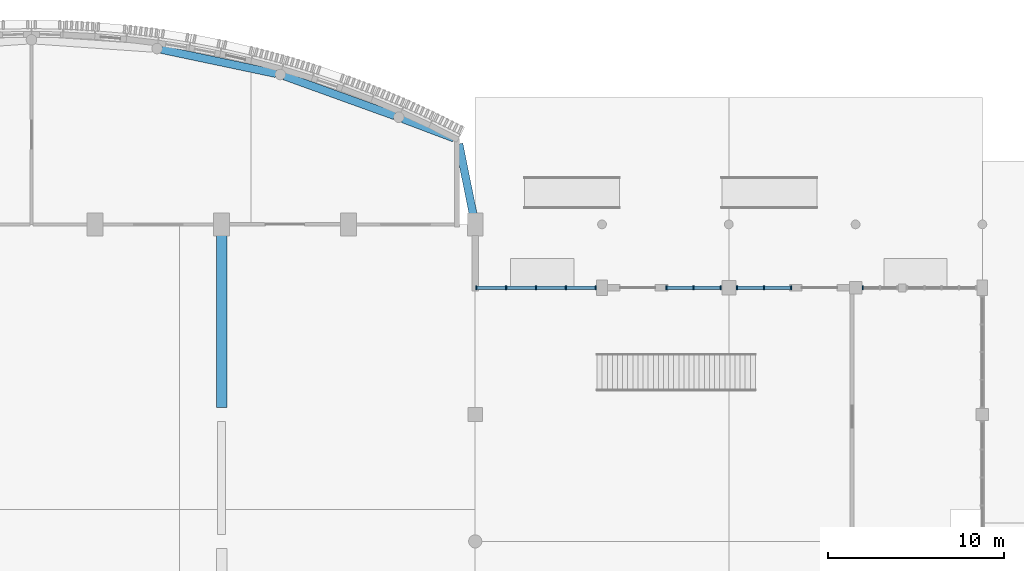
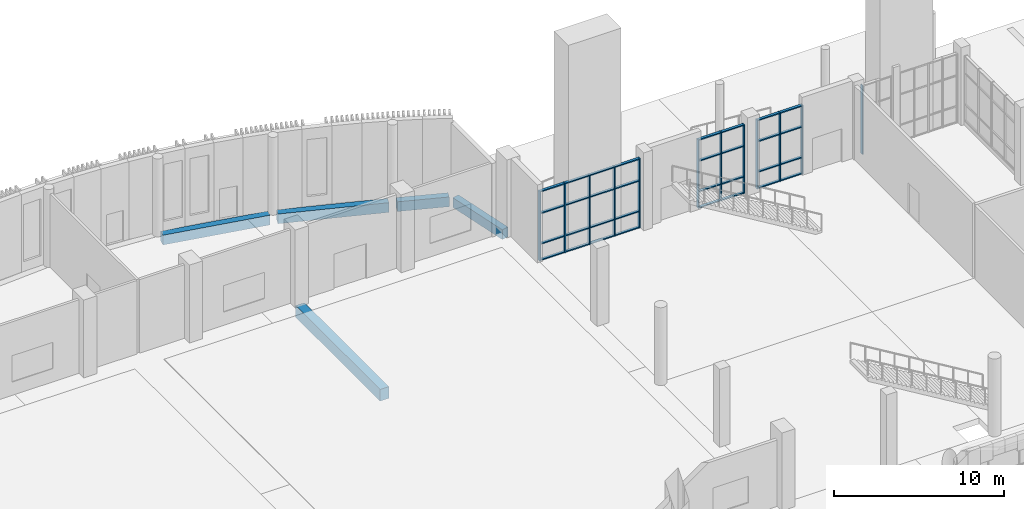
# One storey, part 26 of 85: 44 members, 5 beams, 4 elements without a shape of their own.
"""IFC4 building model written with IfcOpenShell, lengths in metres."""

import ifcopenshell
import ifcopenshell.guid

model = None  # the IFC model being written
_history = None  # IfcOwnerHistory: only IFC2X3 demands one
_inside = {}  # id of a spatial element -> (the spatial element, [elements in it])
_under = {}  # id of a project, library or spatial element -> (it, [spatial elements below it])
_declared = {}  # id of a project -> (the project, [libraries it declares])
_typed = {}  # id of a type object -> (the type object, [elements of that type])
_made_of = {}  # id of a material, layer set ... -> (it, [elements and type objects made of it])


def new_model(schema):
    """Start an empty IFC model of exactly this schema.

    Asked for "IFC4X3", IfcOpenShell would pick the latest addendum, in which some entities
    have other attributes; the version numbers below select the first issue.
    IFC2X3 requires an IfcOwnerHistory on every rooted entity: one is made here for all.
    """
    global model, _history
    if schema == "IFC4X3":
        model = ifcopenshell.file(schema_version=(4, 3, 0, 0))
    else:
        model = ifcopenshell.file(schema=schema)
    _inside.clear()
    _under.clear()
    _declared.clear()
    _typed.clear()
    _made_of.clear()
    _history = None
    if model.schema == "IFC2X3":
        org = make("IfcOrganization", Name="unknown")
        user = make(
            "IfcPersonAndOrganization",
            ThePerson=make("IfcPerson", FamilyName="unknown"),
            TheOrganization=org,
        )
        app = make(
            "IfcApplication",
            ApplicationDeveloper=org,
            Version="unknown",
            ApplicationFullName="unknown",
            ApplicationIdentifier="unknown",
        )
        _history = make(
            "IfcOwnerHistory",
            OwningUser=user,
            OwningApplication=app,
            ChangeAction="ADDED",
            CreationDate=0,
        )
    return model


def make(cls, **values):
    """One entity of the class cls with the attributes given. An attribute that is None is left unset."""
    return model.create_entity(
        cls, **{name: value for name, value in values.items() if value is not None}
    )


def rooted(cls, **values):
    """An entity with a GlobalId (a new one), such as an element, a storey or a relation."""
    return make(cls, GlobalId=ifcopenshell.guid.new(), OwnerHistory=_history, **values)


def si_unit(unit_type, name, prefix=None):
    """IfcSIUnit, for example si_unit("LENGTHUNIT", "METRE", prefix="MILLI")."""
    return make("IfcSIUnit", UnitType=unit_type, Prefix=prefix, Name=name)


def assignment(units):
    """IfcUnitAssignment: the units of a project."""
    return None if units is None else make("IfcUnitAssignment", Units=units)


def point(xyz):
    """IfcCartesianPoint."""
    return None if xyz is None else make("IfcCartesianPoint", Coordinates=xyz)


def direction(xyz):
    """IfcDirection."""
    return None if xyz is None else make("IfcDirection", DirectionRatios=xyz)


def frame(location, z_axis=None, x_axis=None):
    """IfcAxis2Placement3D, a coordinate frame: its origin and axes. An axis left out is left unset."""
    return make(
        "IfcAxis2Placement3D",
        Location=point(location),
        Axis=direction(z_axis),
        RefDirection=direction(x_axis),
    )


def frame_2d(location, x_axis=None):
    """IfcAxis2Placement2D, a coordinate frame in the plane: its origin and x axis."""
    return make(
        "IfcAxis2Placement2D", Location=point(location), RefDirection=direction(x_axis)
    )


def origin():
    """The frame at (0, 0, 0) with its axes left unset."""
    return frame((0.0, 0.0, 0.0))


def origin_2d():
    """The frame at (0, 0) in the plane with its x axis left unset."""
    return frame_2d((0.0, 0.0))


def place(relative_to, where):
    """IfcLocalPlacement: puts the frame where relative to a parent placement (None: the world)."""
    return make(
        "IfcLocalPlacement", PlacementRelTo=relative_to, RelativePlacement=where
    )


def context(
    kind, dimensions, precision=None, world=None, true_north=None, identifier=None
):
    """IfcGeometricRepresentationContext, for example the 3D "Model" context."""
    return make(
        "IfcGeometricRepresentationContext",
        ContextIdentifier=identifier,
        ContextType=kind,
        CoordinateSpaceDimension=dimensions,
        Precision=precision,
        WorldCoordinateSystem=world,
        TrueNorth=true_north,
    )


def subcontext(parent, identifier, kind, view, scale=None):
    """IfcGeometricRepresentationSubContext, for example "Body" below "Model"."""
    return make(
        "IfcGeometricRepresentationSubContext",
        ContextIdentifier=identifier,
        ContextType=kind,
        ParentContext=parent,
        TargetScale=scale,
        TargetView=view,
    )


def project(units=None, contexts=None):
    """IfcProject with its units and contexts."""
    return rooted(
        "IfcProject",
        Name="project",
        RepresentationContexts=contexts,
        UnitsInContext=assignment(units),
    )


def spatial(cls, under=None, at=None, **own):
    """A site, building, storey or space (cls), placed at a placement, below another one or the project."""
    s = rooted(cls, ObjectPlacement=at, **own)
    if under is not None:
        _under.setdefault(under.id(), (under, []))[1].append(s)
    return s


def profile(cls, at=None, kind="AREA", **sizes):
    """A parametric profile (cls). Its sizes go by their IFC names, for example OverallWidth=200.0."""
    return make(cls, ProfileType=kind, Position=at, **sizes)


def rectangle(**sizes):
    """IfcRectangleProfileDef."""
    return profile("IfcRectangleProfileDef", **sizes)


def extrude(swept, where, along, depth):
    """IfcExtrudedAreaSolid: the profile swept, set in the frame where, extruded along a direction by depth."""
    return make(
        "IfcExtrudedAreaSolid",
        SweptArea=swept,
        Position=where,
        ExtrudedDirection=direction(along),
        Depth=depth,
    )


def shape(context_of_items, identifier, shape_type, items):
    """IfcShapeRepresentation: the items that make up one representation, for example the "Body"."""
    return make(
        "IfcShapeRepresentation",
        ContextOfItems=context_of_items,
        RepresentationIdentifier=identifier,
        RepresentationType=shape_type,
        Items=items,
    )


def material(Name=None, Category=None):
    """IfcMaterial."""
    return make("IfcMaterial", Name=Name, Category=Category)


def material_profile(
    of_material, cross_section, Name=None, Category=None, Priority=None
):
    """IfcMaterialProfile: a cross section and its material."""
    return make(
        "IfcMaterialProfile",
        Name=Name,
        Material=of_material,
        Profile=cross_section,
        Priority=Priority,
        Category=Category,
    )


def profile_set(profiles, Name=None, composite=None):
    """IfcMaterialProfileSet."""
    return make(
        "IfcMaterialProfileSet",
        Name=Name,
        MaterialProfiles=profiles,
        CompositeProfile=composite,
    )


def made_of(thing, what):
    """Note that an element or type object is made of a material, layer set ...; save() writes the relation."""
    if what is not None:
        _made_of.setdefault(what.id(), (what, []))[1].append(thing)
    return thing


def type_object(cls, material=None, **own):
    """A type object (cls), such as IfcWallType, which elements share."""
    return made_of(rooted(cls, **own), material)


def element(
    cls,
    number,
    at=None,
    inside=None,
    cuts=None,
    type_object=None,
    material=None,
    context=None,
    identifier="Body",
    shape_type=None,
    held_by="IfcProductDefinitionShape",
    body=None,
    shapes=None,
    **own,
):
    """One element of the class cls, such as IfcWall. Its Tag is "e" and its number.

    at: its placement. inside: the storey or other place that contains it. cuts: it is an
    opening in that element (IfcRelVoidsElement). A single representation is given by context,
    identifier, shape_type and body (its items); several are given by shapes. held_by: the class
    of the entity that holds the representations. save() writes the other relations.
    """
    e = rooted(cls, Tag="e%d" % number, ObjectPlacement=at, **own)
    if body is not None:
        shapes = [shape(context, identifier, shape_type, body)]
    if shapes is not None:
        e.Representation = make(held_by, Representations=shapes)
    if inside is not None:
        _inside.setdefault(inside.id(), (inside, []))[1].append(e)
    if cuts is not None:
        rooted(
            "IfcRelVoidsElement", RelatingBuildingElement=cuts, RelatedOpeningElement=e
        )
    if type_object is not None:
        _typed.setdefault(type_object.id(), (type_object, []))[1].append(e)
    return made_of(e, material)


def aggregate(whole, parts):
    """IfcRelAggregates: a whole, such as a stair, and the parts it consists of."""
    return rooted("IfcRelAggregates", RelatingObject=whole, RelatedObjects=parts)


def save(model, path):
    """Write the relations noted so far, then the file.

    IfcRelAggregates (storeys below a building ...), IfcRelContainedInSpatialStructure (elements
    in a storey), IfcRelDefinesByType, IfcRelAssociatesMaterial and IfcRelDeclares: one each for
    every whole, place, type object, material and project.
    """
    for whole, parts in _under.values():
        aggregate(whole, parts)
    for where, things in _inside.values():
        rooted(
            "IfcRelContainedInSpatialStructure",
            RelatedElements=things,
            RelatingStructure=where,
        )
    for kind, things in _typed.values():
        rooted("IfcRelDefinesByType", RelatedObjects=things, RelatingType=kind)
    for what, things in _made_of.values():
        rooted("IfcRelAssociatesMaterial", RelatedObjects=things, RelatingMaterial=what)
    for by, libraries in _declared.values():
        rooted("IfcRelDeclares", RelatingContext=by, RelatedDefinitions=libraries)
    model.write(path)


model = new_model("IFC4")

# Units and contexts
model_context = context("Model", 3, precision=1e-05, world=origin(), true_north=direction((0.0, 1.0)))
body_context = subcontext(model_context, "Body", "Model", "MODEL_VIEW")
ifc_project = project(units=[si_unit("LENGTHUNIT", "METRE"), si_unit("AREAUNIT", "SQUARE_METRE"), si_unit("VOLUMEUNIT", "CUBIC_METRE"), si_unit("PLANEANGLEUNIT", "RADIAN"), si_unit("MASSUNIT", "GRAM", prefix="KILO")], contexts=[model_context])

# Site, building, storey
site_placement = place(None, origin())
site = spatial("IfcSite", under=ifc_project, at=site_placement, CompositionType="ELEMENT")
building_placement = place(site_placement, origin())
building = spatial("IfcBuilding", under=site, at=building_placement, Name="Sardonyx Promenade Sports Hall", CompositionType="ELEMENT")
storey_placement = place(building_placement, origin())
storey = spatial("IfcBuildingStorey", under=building, at=storey_placement, Name="L00", CompositionType="ELEMENT", Elevation=0.0)

# Beams
ifc_material_1 = material(Name="Concrete C50/60", Category="concrete")
ifc_material_profile_1 = material_profile(ifc_material_1, rectangle(XDim=0.60009765625, YDim=0.85009765625, at=origin_2d()))
ifc_profile_set_1 = profile_set([ifc_material_profile_1], Name="Concrete C50/60")
beam_type_1 = type_object("IfcBeamType", Name="Bm_Girder_RC850", PredefinedType="BEAM", material=ifc_profile_set_1)
beam_1_placement = place(storey_placement, frame((64.800048828125, 94.0, -0.425048828125), z_axis=(0.0, 1.0, 0.0), x_axis=(-1.0, 0.0, 0.0)))
element("IfcBeam", 1, at=beam_1_placement, inside=storey, type_object=beam_type_1, Name="Beam BG06 L00 #147", PredefinedType="BEAM", context=body_context, shape_type="SweptSolid", body=[
    extrude(rectangle(XDim=0.60009765625, YDim=0.85009765625, at=origin_2d()), origin(), (0.0, 0.0, 1.0), 9.949951171875),
])
ifc_material_2 = material(Name="Concrete C40/50", Category="concrete")
ifc_material_profile_2 = material_profile(ifc_material_2, rectangle(XDim=0.449951171875, YDim=0.699951171875, at=origin_2d()))
ifc_profile_set_2 = profile_set([ifc_material_profile_2], Name="Concrete C40/50")
beam_type_2 = type_object("IfcBeamType", Name="Bm_Spandrel_RC700", PredefinedType="SPANDREL", material=ifc_profile_set_2)
beam_2_placement = place(storey_placement, frame((61.3779296875, 114.333740234375, -0.35009765625), z_axis=(0.978508087194, -0.206208446228, 0.0), x_axis=(0.206208446228, 0.978508087194, 0.0)))
element("IfcBeam", 2, at=beam_2_placement, inside=storey, type_object=beam_type_2, Name="Bowed promenade grade beam #7", PredefinedType="SPANDREL", context=body_context, shape_type="SweptSolid", body=[
    extrude(rectangle(XDim=0.449951171875, YDim=0.699951171875, at=origin_2d()), origin(), (0.0, 0.0, 1.0), 6.650146484375),
])
beam_3_placement = place(storey_placement, frame((68.364990234375, 112.826171875, -0.35009765625), z_axis=(0.940672418864, -0.33931607741, 0.0), x_axis=(0.33931607741, 0.940672418864, 0.0)))
element("IfcBeam", 3, at=beam_3_placement, inside=storey, type_object=beam_type_2, Name="Bowed promenade grade beam #8", PredefinedType="SPANDREL", context=body_context, shape_type="SweptSolid", body=[
    extrude(rectangle(XDim=0.449951171875, YDim=0.699951171875, at=origin_2d()), origin(), (0.0, 0.0, 1.0), 6.650390625),
])
beam_4_placement = place(storey_placement, frame((75.08984375, 110.396484375, -0.35009765625), z_axis=(0.935482498413, -0.353373025517, 0.0), x_axis=(0.353373025517, 0.935482498413, 0.0)))
element("IfcBeam", 4, at=beam_4_placement, inside=storey, type_object=beam_type_2, Name="Bowed promenade grade beam #9", PredefinedType="SPANDREL", context=body_context, shape_type="SweptSolid", body=[
    extrude(rectangle(XDim=0.449951171875, YDim=0.699951171875, at=origin_2d()), origin(), (0.0, 0.0, 1.0), 3.102783203125),
])
beam_5_placement = place(storey_placement, frame((78.27587890625, 108.966796875, -0.35009765625), z_axis=(0.198330379521, -0.98013522565, 0.0), x_axis=(0.98013522565, 0.198330379521, 0.0)))
element("IfcBeam", 5, at=beam_5_placement, inside=storey, type_object=beam_type_2, Name="Bowed promenade grade beam #10", PredefinedType="SPANDREL", context=body_context, shape_type="SweptSolid", body=[
    extrude(rectangle(XDim=0.449951171875, YDim=0.699951171875, at=origin_2d()), origin(), (0.0, 0.0, 1.0), 4.409423828125),
])

# Curtain wall, members
ifc_material_3 = material(Name="Aluminium 6063-T6", Category="aluminium")
curtain_wall_type_1 = type_object("IfcCurtainWallType", Name="CW_Foyer_L00_Tall", PredefinedType="USERDEFINED", material=ifc_material_3)
curtain_wall_1_placement = place(storey_placement, origin())
curtain_wall_1 = element("IfcCurtainWall", 6, at=curtain_wall_1_placement, inside=storey, type_object=curtain_wall_type_1, Name="Curtain wall CW13 cw:L00:084", ObjectType="CURTAIN WALL", PredefinedType="USERDEFINED")
ifc_material_4 = material(Name="Aluminium 6063-T6", Category="aluminium")
ifc_material_profile_3 = material_profile(ifc_material_4, rectangle(XDim=0.074951171875, YDim=0.22509765625, at=origin_2d()))
ifc_profile_set_3 = profile_set([ifc_material_profile_3], Name="Aluminium 6063-T6")
member_type_1 = type_object("IfcMemberType", Name="CW_Mull_225", PredefinedType="MULLION", material=ifc_profile_set_3)
member_1_placement = place(storey_placement, frame((79.257568359375, 100.800048828125, 0.0), z_axis=(0.0, 0.0, 1.0), x_axis=(1.0, 0.0, 0.0)))
member_1 = element("IfcMember", 7, at=member_1_placement, type_object=member_type_1, Name="Mullion CM04 cw:L00:084 #1", PredefinedType="MULLION", context=body_context, shape_type="SweptSolid", body=[
    extrude(rectangle(XDim=0.074951171875, YDim=0.22509765625, at=origin_2d()), origin(), (0.0, 0.0, 1.0), 5.0),
])
member_2_placement = place(storey_placement, frame((80.953857421875, 100.800048828125, 0.0), z_axis=(0.0, 0.0, 1.0), x_axis=(1.0, 0.0, 0.0)))
member_2 = element("IfcMember", 8, at=member_2_placement, type_object=member_type_1, Name="Mullion CM04 cw:L00:084 #2", PredefinedType="MULLION", context=body_context, shape_type="SweptSolid", body=[
    extrude(rectangle(XDim=0.074951171875, YDim=0.22509765625, at=origin_2d()), origin(), (0.0, 0.0, 1.0), 5.0),
])
member_3_placement = place(storey_placement, frame((82.64990234375, 100.800048828125, 0.0), z_axis=(0.0, 0.0, 1.0), x_axis=(1.0, 0.0, 0.0)))
member_3 = element("IfcMember", 9, at=member_3_placement, type_object=member_type_1, Name="Mullion CM04 cw:L00:084 #3", PredefinedType="MULLION", context=body_context, shape_type="SweptSolid", body=[
    extrude(rectangle(XDim=0.074951171875, YDim=0.22509765625, at=origin_2d()), origin(), (0.0, 0.0, 1.0), 5.0),
])
member_4_placement = place(storey_placement, frame((84.34619140625, 100.800048828125, 0.0), z_axis=(0.0, 0.0, 1.0), x_axis=(1.0, 0.0, 0.0)))
member_4 = element("IfcMember", 10, at=member_4_placement, type_object=member_type_1, Name="Mullion CM04 cw:L00:084 #4", PredefinedType="MULLION", context=body_context, shape_type="SweptSolid", body=[
    extrude(rectangle(XDim=0.074951171875, YDim=0.22509765625, at=origin_2d()), origin(), (0.0, 0.0, 1.0), 5.0),
])
member_5_placement = place(storey_placement, frame((86.04248046875, 100.800048828125, 0.0), z_axis=(0.0, 0.0, 1.0), x_axis=(1.0, 0.0, 0.0)))
member_5 = element("IfcMember", 11, at=member_5_placement, type_object=member_type_1, Name="Mullion CM04 cw:L00:084 #5", PredefinedType="MULLION", context=body_context, shape_type="SweptSolid", body=[
    extrude(rectangle(XDim=0.074951171875, YDim=0.22509765625, at=origin_2d()), origin(), (0.0, 0.0, 1.0), 5.0),
])

ifc_material_5 = material(Name="Aluminium 6063-T6", Category="aluminium")
curtain_wall_type_2 = type_object("IfcCurtainWallType", Name="CW_Foyer_Pilaster_L00", PredefinedType="USERDEFINED", material=ifc_material_5)
curtain_wall_2_placement = place(storey_placement, origin())
curtain_wall_2 = element("IfcCurtainWall", 12, at=curtain_wall_2_placement, inside=storey, type_object=curtain_wall_type_2, Name="Curtain wall CW20 cw:L00:085", ObjectType="CURTAIN WALL", PredefinedType="USERDEFINED")
member_6_placement = place(storey_placement, frame((90.0576171875, 100.800048828125, 0.0), z_axis=(0.0, 0.0, 1.0), x_axis=(1.0, 0.0, 0.0)))
member_6 = element("IfcMember", 13, at=member_6_placement, type_object=member_type_1, Name="Mullion CM04 cw:L00:085 #1", PredefinedType="MULLION", context=body_context, shape_type="SweptSolid", body=[
    extrude(rectangle(XDim=0.074951171875, YDim=0.22509765625, at=origin_2d()), origin(), (0.0, 0.0, 1.0), 4.949951171875),
])
member_7_placement = place(storey_placement, frame((91.60009765625, 100.800048828125, 0.0), z_axis=(0.0, 0.0, 1.0), x_axis=(1.0, 0.0, 0.0)))
member_7 = element("IfcMember", 14, at=member_7_placement, type_object=member_type_1, Name="Mullion CM04 cw:L00:085 #2", PredefinedType="MULLION", context=body_context, shape_type="SweptSolid", body=[
    extrude(rectangle(XDim=0.074951171875, YDim=0.22509765625, at=origin_2d()), origin(), (0.0, 0.0, 1.0), 4.949951171875),
])
member_8_placement = place(storey_placement, frame((93.142578125, 100.800048828125, 0.0), z_axis=(0.0, 0.0, 1.0), x_axis=(1.0, 0.0, 0.0)))
member_8 = element("IfcMember", 15, at=member_8_placement, type_object=member_type_1, Name="Mullion CM04 cw:L00:085 #3", PredefinedType="MULLION", context=body_context, shape_type="SweptSolid", body=[
    extrude(rectangle(XDim=0.074951171875, YDim=0.22509765625, at=origin_2d()), origin(), (0.0, 0.0, 1.0), 4.949951171875),
])

curtain_wall_3_placement = place(storey_placement, origin())
curtain_wall_3 = element("IfcCurtainWall", 16, at=curtain_wall_3_placement, inside=storey, type_object=curtain_wall_type_2, Name="Curtain wall CW20 cw:L00:086", ObjectType="CURTAIN WALL", PredefinedType="USERDEFINED")
member_9_placement = place(storey_placement, frame((94.0576171875, 100.800048828125, 0.0), z_axis=(0.0, 0.0, 1.0), x_axis=(1.0, 0.0, 0.0)))
member_9 = element("IfcMember", 17, at=member_9_placement, type_object=member_type_1, Name="Mullion CM04 cw:L00:086 #1", PredefinedType="MULLION", context=body_context, shape_type="SweptSolid", body=[
    extrude(rectangle(XDim=0.074951171875, YDim=0.22509765625, at=origin_2d()), origin(), (0.0, 0.0, 1.0), 4.949951171875),
])
member_10_placement = place(storey_placement, frame((95.60009765625, 100.800048828125, 0.0), z_axis=(0.0, 0.0, 1.0), x_axis=(1.0, 0.0, 0.0)))
member_10 = element("IfcMember", 18, at=member_10_placement, type_object=member_type_1, Name="Mullion CM04 cw:L00:086 #2", PredefinedType="MULLION", context=body_context, shape_type="SweptSolid", body=[
    extrude(rectangle(XDim=0.074951171875, YDim=0.22509765625, at=origin_2d()), origin(), (0.0, 0.0, 1.0), 4.949951171875),
])
member_11_placement = place(storey_placement, frame((97.142578125, 100.800048828125, 0.0), z_axis=(0.0, 0.0, 1.0), x_axis=(1.0, 0.0, 0.0)))
member_11 = element("IfcMember", 19, at=member_11_placement, type_object=member_type_1, Name="Mullion CM04 cw:L00:086 #3", PredefinedType="MULLION", context=body_context, shape_type="SweptSolid", body=[
    extrude(rectangle(XDim=0.074951171875, YDim=0.22509765625, at=origin_2d()), origin(), (0.0, 0.0, 1.0), 4.949951171875),
])

# Curtain wall, member
curtain_wall_4_placement = place(storey_placement, origin())
curtain_wall_4 = element("IfcCurtainWall", 20, at=curtain_wall_4_placement, inside=storey, type_object=curtain_wall_type_2, Name="Curtain wall CW20 cw:L00:087", ObjectType="CURTAIN WALL", PredefinedType="USERDEFINED")
member_12_placement = place(storey_placement, frame((101.20751953125, 100.800048828125, 0.0), z_axis=(0.0, 0.0, 1.0), x_axis=(1.0, 0.0, 0.0)))
member_12 = element("IfcMember", 21, at=member_12_placement, type_object=member_type_1, Name="Mullion CM04 cw:L00:087 #1", PredefinedType="MULLION", context=body_context, shape_type="SweptSolid", body=[
    extrude(rectangle(XDim=0.074951171875, YDim=0.22509765625, at=origin_2d()), origin(), (0.0, 0.0, 1.0), 4.949951171875),
])
aggregate(curtain_wall_4, [member_12])

# Member
ifc_material_6 = material(Name="Aluminium 6063-T6", Category="aluminium")
ifc_material_profile_4 = material_profile(ifc_material_6, rectangle(XDim=0.074951171875, YDim=0.179931640625, at=origin_2d()))
ifc_profile_set_4 = profile_set([ifc_material_profile_4], Name="Aluminium 6063-T6")
member_type_2 = type_object("IfcMemberType", Name="CW_Tran_180", PredefinedType="USERDEFINED", material=ifc_profile_set_4)
member_13_placement = place(storey_placement, frame((79.294921875, 100.800048828125, 0.03759765625), z_axis=(1.0, 0.0, 0.0), x_axis=(0.0, 0.0, 1.0)))
member_13 = element("IfcMember", 22, at=member_13_placement, type_object=member_type_2, Name="Transom CT04 cw:L00:084 #1", ObjectType="TRANSOM", PredefinedType="USERDEFINED", context=body_context, shape_type="SweptSolid", body=[
    extrude(rectangle(XDim=0.074951171875, YDim=0.179931640625, at=origin_2d()), origin(), (0.0, 0.0, 1.0), 1.621337890625),
])

member_14_placement = place(storey_placement, frame((79.294921875, 100.800048828125, 1.199951171875), z_axis=(1.0, 0.0, 0.0), x_axis=(0.0, 0.0, 1.0)))
member_14 = element("IfcMember", 23, at=member_14_placement, type_object=member_type_2, Name="Transom CT04 cw:L00:084 #2", ObjectType="TRANSOM", PredefinedType="USERDEFINED", context=body_context, shape_type="SweptSolid", body=[
    extrude(rectangle(XDim=0.074951171875, YDim=0.179931640625, at=origin_2d()), origin(), (0.0, 0.0, 1.0), 1.621337890625),
])

member_15_placement = place(storey_placement, frame((79.294921875, 100.800048828125, 3.39990234375), z_axis=(1.0, 0.0, 0.0), x_axis=(0.0, 0.0, 1.0)))
member_15 = element("IfcMember", 24, at=member_15_placement, type_object=member_type_2, Name="Transom CT04 cw:L00:084 #3", ObjectType="TRANSOM", PredefinedType="USERDEFINED", context=body_context, shape_type="SweptSolid", body=[
    extrude(rectangle(XDim=0.074951171875, YDim=0.179931640625, at=origin_2d()), origin(), (0.0, 0.0, 1.0), 1.621337890625),
])

member_16_placement = place(storey_placement, frame((79.294921875, 100.800048828125, 4.96240234375), z_axis=(1.0, 0.0, 0.0), x_axis=(0.0, 0.0, 1.0)))
member_16 = element("IfcMember", 25, at=member_16_placement, type_object=member_type_2, Name="Transom CT04 cw:L00:084 #4", ObjectType="TRANSOM", PredefinedType="USERDEFINED", context=body_context, shape_type="SweptSolid", body=[
    extrude(rectangle(XDim=0.074951171875, YDim=0.179931640625, at=origin_2d()), origin(), (0.0, 0.0, 1.0), 1.621337890625),
])

member_17_placement = place(storey_placement, frame((80.9912109375, 100.800048828125, 0.03759765625), z_axis=(1.0, 0.0, 0.0), x_axis=(0.0, 0.0, 1.0)))
member_17 = element("IfcMember", 26, at=member_17_placement, type_object=member_type_2, Name="Transom CT04 cw:L00:084 #5", ObjectType="TRANSOM", PredefinedType="USERDEFINED", context=body_context, shape_type="SweptSolid", body=[
    extrude(rectangle(XDim=0.074951171875, YDim=0.179931640625, at=origin_2d()), origin(), (0.0, 0.0, 1.0), 1.621337890625),
])

member_18_placement = place(storey_placement, frame((80.9912109375, 100.800048828125, 1.199951171875), z_axis=(1.0, 0.0, 0.0), x_axis=(0.0, 0.0, 1.0)))
member_18 = element("IfcMember", 27, at=member_18_placement, type_object=member_type_2, Name="Transom CT04 cw:L00:084 #6", ObjectType="TRANSOM", PredefinedType="USERDEFINED", context=body_context, shape_type="SweptSolid", body=[
    extrude(rectangle(XDim=0.074951171875, YDim=0.179931640625, at=origin_2d()), origin(), (0.0, 0.0, 1.0), 1.621337890625),
])

member_19_placement = place(storey_placement, frame((80.9912109375, 100.800048828125, 3.39990234375), z_axis=(1.0, 0.0, 0.0), x_axis=(0.0, 0.0, 1.0)))
member_19 = element("IfcMember", 28, at=member_19_placement, type_object=member_type_2, Name="Transom CT04 cw:L00:084 #7", ObjectType="TRANSOM", PredefinedType="USERDEFINED", context=body_context, shape_type="SweptSolid", body=[
    extrude(rectangle(XDim=0.074951171875, YDim=0.179931640625, at=origin_2d()), origin(), (0.0, 0.0, 1.0), 1.621337890625),
])

member_20_placement = place(storey_placement, frame((80.9912109375, 100.800048828125, 4.96240234375), z_axis=(1.0, 0.0, 0.0), x_axis=(0.0, 0.0, 1.0)))
member_20 = element("IfcMember", 29, at=member_20_placement, type_object=member_type_2, Name="Transom CT04 cw:L00:084 #8", ObjectType="TRANSOM", PredefinedType="USERDEFINED", context=body_context, shape_type="SweptSolid", body=[
    extrude(rectangle(XDim=0.074951171875, YDim=0.179931640625, at=origin_2d()), origin(), (0.0, 0.0, 1.0), 1.621337890625),
])

member_21_placement = place(storey_placement, frame((82.6875, 100.800048828125, 0.03759765625), z_axis=(1.0, 0.0, 0.0), x_axis=(0.0, 0.0, 1.0)))
member_21 = element("IfcMember", 30, at=member_21_placement, type_object=member_type_2, Name="Transom CT04 cw:L00:084 #9", ObjectType="TRANSOM", PredefinedType="USERDEFINED", context=body_context, shape_type="SweptSolid", body=[
    extrude(rectangle(XDim=0.074951171875, YDim=0.179931640625, at=origin_2d()), origin(), (0.0, 0.0, 1.0), 1.621337890625),
])

member_22_placement = place(storey_placement, frame((82.6875, 100.800048828125, 1.199951171875), z_axis=(1.0, 0.0, 0.0), x_axis=(0.0, 0.0, 1.0)))
member_22 = element("IfcMember", 31, at=member_22_placement, type_object=member_type_2, Name="Transom CT04 cw:L00:084 #10", ObjectType="TRANSOM", PredefinedType="USERDEFINED", context=body_context, shape_type="SweptSolid", body=[
    extrude(rectangle(XDim=0.074951171875, YDim=0.179931640625, at=origin_2d()), origin(), (0.0, 0.0, 1.0), 1.621337890625),
])

member_23_placement = place(storey_placement, frame((82.6875, 100.800048828125, 3.39990234375), z_axis=(1.0, 0.0, 0.0), x_axis=(0.0, 0.0, 1.0)))
member_23 = element("IfcMember", 32, at=member_23_placement, type_object=member_type_2, Name="Transom CT04 cw:L00:084 #11", ObjectType="TRANSOM", PredefinedType="USERDEFINED", context=body_context, shape_type="SweptSolid", body=[
    extrude(rectangle(XDim=0.074951171875, YDim=0.179931640625, at=origin_2d()), origin(), (0.0, 0.0, 1.0), 1.621337890625),
])

member_24_placement = place(storey_placement, frame((82.6875, 100.800048828125, 4.96240234375), z_axis=(1.0, 0.0, 0.0), x_axis=(0.0, 0.0, 1.0)))
member_24 = element("IfcMember", 33, at=member_24_placement, type_object=member_type_2, Name="Transom CT04 cw:L00:084 #12", ObjectType="TRANSOM", PredefinedType="USERDEFINED", context=body_context, shape_type="SweptSolid", body=[
    extrude(rectangle(XDim=0.074951171875, YDim=0.179931640625, at=origin_2d()), origin(), (0.0, 0.0, 1.0), 1.621337890625),
])

member_25_placement = place(storey_placement, frame((84.3837890625, 100.800048828125, 0.03759765625), z_axis=(1.0, 0.0, 0.0), x_axis=(0.0, 0.0, 1.0)))
member_25 = element("IfcMember", 34, at=member_25_placement, type_object=member_type_2, Name="Transom CT04 cw:L00:084 #13", ObjectType="TRANSOM", PredefinedType="USERDEFINED", context=body_context, shape_type="SweptSolid", body=[
    extrude(rectangle(XDim=0.074951171875, YDim=0.179931640625, at=origin_2d()), origin(), (0.0, 0.0, 1.0), 1.62109375),
])

member_26_placement = place(storey_placement, frame((84.3837890625, 100.800048828125, 1.199951171875), z_axis=(1.0, 0.0, 0.0), x_axis=(0.0, 0.0, 1.0)))
member_26 = element("IfcMember", 35, at=member_26_placement, type_object=member_type_2, Name="Transom CT04 cw:L00:084 #14", ObjectType="TRANSOM", PredefinedType="USERDEFINED", context=body_context, shape_type="SweptSolid", body=[
    extrude(rectangle(XDim=0.074951171875, YDim=0.179931640625, at=origin_2d()), origin(), (0.0, 0.0, 1.0), 1.62109375),
])

member_27_placement = place(storey_placement, frame((84.3837890625, 100.800048828125, 3.39990234375), z_axis=(1.0, 0.0, 0.0), x_axis=(0.0, 0.0, 1.0)))
member_27 = element("IfcMember", 36, at=member_27_placement, type_object=member_type_2, Name="Transom CT04 cw:L00:084 #15", ObjectType="TRANSOM", PredefinedType="USERDEFINED", context=body_context, shape_type="SweptSolid", body=[
    extrude(rectangle(XDim=0.074951171875, YDim=0.179931640625, at=origin_2d()), origin(), (0.0, 0.0, 1.0), 1.62109375),
])

member_28_placement = place(storey_placement, frame((84.3837890625, 100.800048828125, 4.96240234375), z_axis=(1.0, 0.0, 0.0), x_axis=(0.0, 0.0, 1.0)))
member_28 = element("IfcMember", 37, at=member_28_placement, type_object=member_type_2, Name="Transom CT04 cw:L00:084 #16", ObjectType="TRANSOM", PredefinedType="USERDEFINED", context=body_context, shape_type="SweptSolid", body=[
    extrude(rectangle(XDim=0.074951171875, YDim=0.179931640625, at=origin_2d()), origin(), (0.0, 0.0, 1.0), 1.62109375),
])

aggregate(curtain_wall_1, [member_1, member_2, member_3, member_4, member_5, member_13, member_14, member_15, member_16, member_17, member_18, member_19, member_20, member_21, member_22, member_23, member_24, member_25, member_26, member_27, member_28])

member_29_placement = place(storey_placement, frame((90.094970703125, 100.800048828125, 0.03759765625), z_axis=(1.0, 0.0, 0.0), x_axis=(0.0, 0.0, 1.0)))
member_29 = element("IfcMember", 38, at=member_29_placement, type_object=member_type_2, Name="Transom CT04 cw:L00:085 #1", ObjectType="TRANSOM", PredefinedType="USERDEFINED", context=body_context, shape_type="SweptSolid", body=[
    extrude(rectangle(XDim=0.074951171875, YDim=0.179931640625, at=origin_2d()), origin(), (0.0, 0.0, 1.0), 1.467529296875),
])

member_30_placement = place(storey_placement, frame((90.094970703125, 100.800048828125, 1.199951171875), z_axis=(1.0, 0.0, 0.0), x_axis=(0.0, 0.0, 1.0)))
member_30 = element("IfcMember", 39, at=member_30_placement, type_object=member_type_2, Name="Transom CT04 cw:L00:085 #2", ObjectType="TRANSOM", PredefinedType="USERDEFINED", context=body_context, shape_type="SweptSolid", body=[
    extrude(rectangle(XDim=0.074951171875, YDim=0.179931640625, at=origin_2d()), origin(), (0.0, 0.0, 1.0), 1.467529296875),
])

member_31_placement = place(storey_placement, frame((90.094970703125, 100.800048828125, 3.39990234375), z_axis=(1.0, 0.0, 0.0), x_axis=(0.0, 0.0, 1.0)))
member_31 = element("IfcMember", 40, at=member_31_placement, type_object=member_type_2, Name="Transom CT04 cw:L00:085 #3", ObjectType="TRANSOM", PredefinedType="USERDEFINED", context=body_context, shape_type="SweptSolid", body=[
    extrude(rectangle(XDim=0.074951171875, YDim=0.179931640625, at=origin_2d()), origin(), (0.0, 0.0, 1.0), 1.467529296875),
])

member_32_placement = place(storey_placement, frame((90.094970703125, 100.800048828125, 4.91259765625), z_axis=(1.0, 0.0, 0.0), x_axis=(0.0, 0.0, 1.0)))
member_32 = element("IfcMember", 41, at=member_32_placement, type_object=member_type_2, Name="Transom CT04 cw:L00:085 #4", ObjectType="TRANSOM", PredefinedType="USERDEFINED", context=body_context, shape_type="SweptSolid", body=[
    extrude(rectangle(XDim=0.074951171875, YDim=0.179931640625, at=origin_2d()), origin(), (0.0, 0.0, 1.0), 1.467529296875),
])

member_33_placement = place(storey_placement, frame((91.637451171875, 100.800048828125, 0.03759765625), z_axis=(1.0, 0.0, 0.0), x_axis=(0.0, 0.0, 1.0)))
member_33 = element("IfcMember", 42, at=member_33_placement, type_object=member_type_2, Name="Transom CT04 cw:L00:085 #5", ObjectType="TRANSOM", PredefinedType="USERDEFINED", context=body_context, shape_type="SweptSolid", body=[
    extrude(rectangle(XDim=0.074951171875, YDim=0.179931640625, at=origin_2d()), origin(), (0.0, 0.0, 1.0), 1.467529296875),
])

member_34_placement = place(storey_placement, frame((91.637451171875, 100.800048828125, 1.199951171875), z_axis=(1.0, 0.0, 0.0), x_axis=(0.0, 0.0, 1.0)))
member_34 = element("IfcMember", 43, at=member_34_placement, type_object=member_type_2, Name="Transom CT04 cw:L00:085 #6", ObjectType="TRANSOM", PredefinedType="USERDEFINED", context=body_context, shape_type="SweptSolid", body=[
    extrude(rectangle(XDim=0.074951171875, YDim=0.179931640625, at=origin_2d()), origin(), (0.0, 0.0, 1.0), 1.467529296875),
])

member_35_placement = place(storey_placement, frame((91.637451171875, 100.800048828125, 3.39990234375), z_axis=(1.0, 0.0, 0.0), x_axis=(0.0, 0.0, 1.0)))
member_35 = element("IfcMember", 44, at=member_35_placement, type_object=member_type_2, Name="Transom CT04 cw:L00:085 #7", ObjectType="TRANSOM", PredefinedType="USERDEFINED", context=body_context, shape_type="SweptSolid", body=[
    extrude(rectangle(XDim=0.074951171875, YDim=0.179931640625, at=origin_2d()), origin(), (0.0, 0.0, 1.0), 1.467529296875),
])

member_36_placement = place(storey_placement, frame((91.637451171875, 100.800048828125, 4.91259765625), z_axis=(1.0, 0.0, 0.0), x_axis=(0.0, 0.0, 1.0)))
member_36 = element("IfcMember", 45, at=member_36_placement, type_object=member_type_2, Name="Transom CT04 cw:L00:085 #8", ObjectType="TRANSOM", PredefinedType="USERDEFINED", context=body_context, shape_type="SweptSolid", body=[
    extrude(rectangle(XDim=0.074951171875, YDim=0.179931640625, at=origin_2d()), origin(), (0.0, 0.0, 1.0), 1.467529296875),
])

aggregate(curtain_wall_2, [member_6, member_7, member_8, member_29, member_30, member_31, member_32, member_33, member_34, member_35, member_36])

member_37_placement = place(storey_placement, frame((94.094970703125, 100.800048828125, 0.03759765625), z_axis=(1.0, 0.0, 0.0), x_axis=(0.0, 0.0, 1.0)))
member_37 = element("IfcMember", 46, at=member_37_placement, type_object=member_type_2, Name="Transom CT04 cw:L00:086 #1", ObjectType="TRANSOM", PredefinedType="USERDEFINED", context=body_context, shape_type="SweptSolid", body=[
    extrude(rectangle(XDim=0.074951171875, YDim=0.179931640625, at=origin_2d()), origin(), (0.0, 0.0, 1.0), 1.467529296875),
])

member_38_placement = place(storey_placement, frame((94.094970703125, 100.800048828125, 1.199951171875), z_axis=(1.0, 0.0, 0.0), x_axis=(0.0, 0.0, 1.0)))
member_38 = element("IfcMember", 47, at=member_38_placement, type_object=member_type_2, Name="Transom CT04 cw:L00:086 #2", ObjectType="TRANSOM", PredefinedType="USERDEFINED", context=body_context, shape_type="SweptSolid", body=[
    extrude(rectangle(XDim=0.074951171875, YDim=0.179931640625, at=origin_2d()), origin(), (0.0, 0.0, 1.0), 1.467529296875),
])

member_39_placement = place(storey_placement, frame((94.094970703125, 100.800048828125, 3.39990234375), z_axis=(1.0, 0.0, 0.0), x_axis=(0.0, 0.0, 1.0)))
member_39 = element("IfcMember", 48, at=member_39_placement, type_object=member_type_2, Name="Transom CT04 cw:L00:086 #3", ObjectType="TRANSOM", PredefinedType="USERDEFINED", context=body_context, shape_type="SweptSolid", body=[
    extrude(rectangle(XDim=0.074951171875, YDim=0.179931640625, at=origin_2d()), origin(), (0.0, 0.0, 1.0), 1.467529296875),
])

member_40_placement = place(storey_placement, frame((94.094970703125, 100.800048828125, 4.91259765625), z_axis=(1.0, 0.0, 0.0), x_axis=(0.0, 0.0, 1.0)))
member_40 = element("IfcMember", 49, at=member_40_placement, type_object=member_type_2, Name="Transom CT04 cw:L00:086 #4", ObjectType="TRANSOM", PredefinedType="USERDEFINED", context=body_context, shape_type="SweptSolid", body=[
    extrude(rectangle(XDim=0.074951171875, YDim=0.179931640625, at=origin_2d()), origin(), (0.0, 0.0, 1.0), 1.467529296875),
])

member_41_placement = place(storey_placement, frame((95.637451171875, 100.800048828125, 0.03759765625), z_axis=(1.0, 0.0, 0.0), x_axis=(0.0, 0.0, 1.0)))
member_41 = element("IfcMember", 50, at=member_41_placement, type_object=member_type_2, Name="Transom CT04 cw:L00:086 #5", ObjectType="TRANSOM", PredefinedType="USERDEFINED", context=body_context, shape_type="SweptSolid", body=[
    extrude(rectangle(XDim=0.074951171875, YDim=0.179931640625, at=origin_2d()), origin(), (0.0, 0.0, 1.0), 1.467529296875),
])

member_42_placement = place(storey_placement, frame((95.637451171875, 100.800048828125, 1.199951171875), z_axis=(1.0, 0.0, 0.0), x_axis=(0.0, 0.0, 1.0)))
member_42 = element("IfcMember", 51, at=member_42_placement, type_object=member_type_2, Name="Transom CT04 cw:L00:086 #6", ObjectType="TRANSOM", PredefinedType="USERDEFINED", context=body_context, shape_type="SweptSolid", body=[
    extrude(rectangle(XDim=0.074951171875, YDim=0.179931640625, at=origin_2d()), origin(), (0.0, 0.0, 1.0), 1.467529296875),
])

member_43_placement = place(storey_placement, frame((95.637451171875, 100.800048828125, 3.39990234375), z_axis=(1.0, 0.0, 0.0), x_axis=(0.0, 0.0, 1.0)))
member_43 = element("IfcMember", 52, at=member_43_placement, type_object=member_type_2, Name="Transom CT04 cw:L00:086 #7", ObjectType="TRANSOM", PredefinedType="USERDEFINED", context=body_context, shape_type="SweptSolid", body=[
    extrude(rectangle(XDim=0.074951171875, YDim=0.179931640625, at=origin_2d()), origin(), (0.0, 0.0, 1.0), 1.467529296875),
])

member_44_placement = place(storey_placement, frame((95.637451171875, 100.800048828125, 4.91259765625), z_axis=(1.0, 0.0, 0.0), x_axis=(0.0, 0.0, 1.0)))
member_44 = element("IfcMember", 53, at=member_44_placement, type_object=member_type_2, Name="Transom CT04 cw:L00:086 #8", ObjectType="TRANSOM", PredefinedType="USERDEFINED", context=body_context, shape_type="SweptSolid", body=[
    extrude(rectangle(XDim=0.074951171875, YDim=0.179931640625, at=origin_2d()), origin(), (0.0, 0.0, 1.0), 1.467529296875),
])

aggregate(curtain_wall_3, [member_9, member_10, member_11, member_37, member_38, member_39, member_40, member_41, member_42, member_43, member_44])

save(model, "model.ifc")
